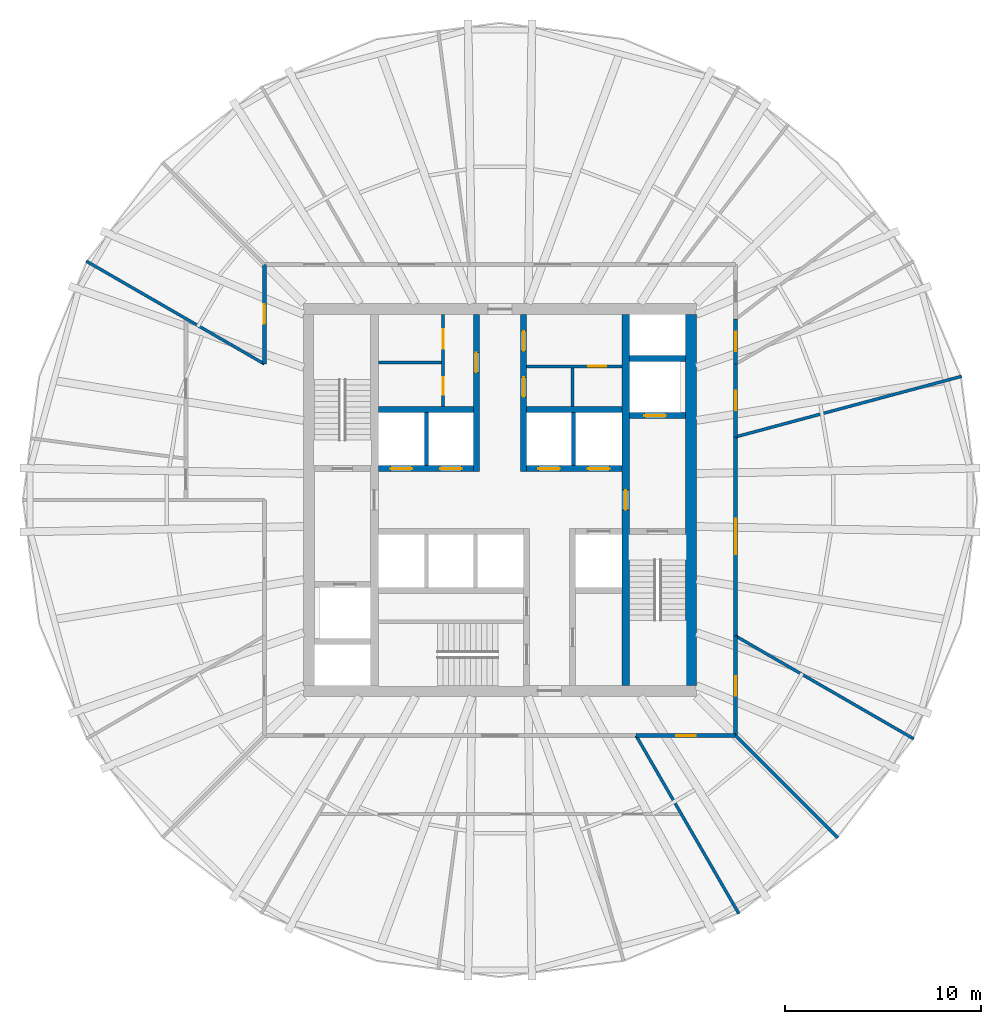
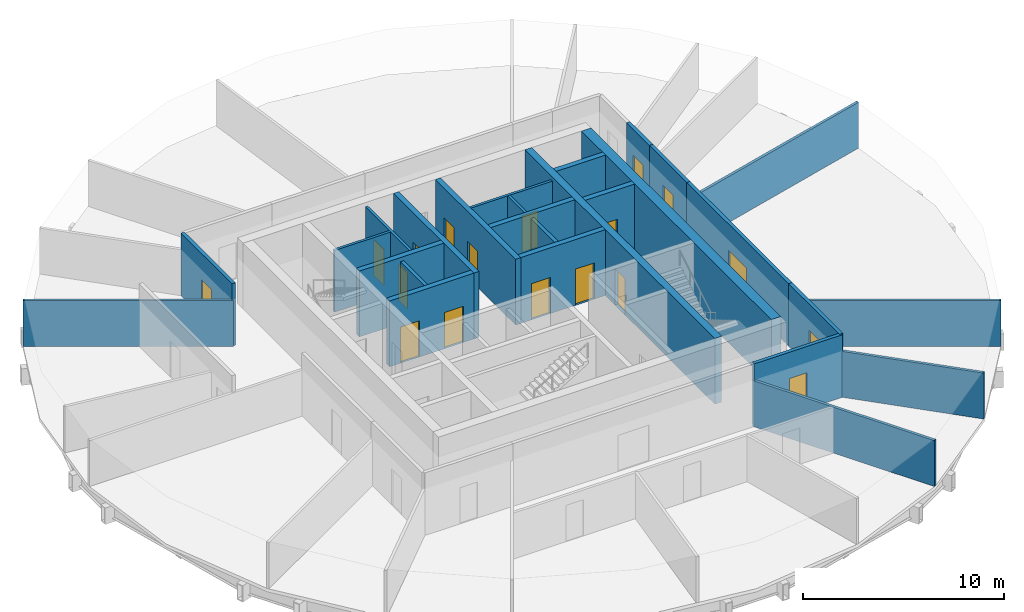
# One storey, part 4 of 6: 27 walls, 18 doors, 18 openings.
"""IFC4 building model written with IfcOpenShell, lengths in metres."""

from ifc_helpers import new_model, si_unit, direction, frame, frame_2d, origin, place, context, subcontext, project, spatial, rectangle, extrude, material, layer, layer_set, type_object, element, fill, save


model = new_model("IFC4")

# Units and contexts
model_context = context("Model", 3, precision=1e-05, world=origin(), true_north=direction((0.0, 1.0)))
body_context = subcontext(model_context, "Body", "Model", "MODEL_VIEW")
ifc_project = project(units=[si_unit("LENGTHUNIT", "METRE"), si_unit("AREAUNIT", "SQUARE_METRE"), si_unit("VOLUMEUNIT", "CUBIC_METRE"), si_unit("PLANEANGLEUNIT", "RADIAN"), si_unit("MASSUNIT", "GRAM", prefix="KILO")], contexts=[model_context])

# Site, building, storey
site_placement = place(None, origin())
site = spatial("IfcSite", under=ifc_project, at=site_placement, CompositionType="ELEMENT")
building_placement = place(site_placement, origin())
building = spatial("IfcBuilding", under=site, at=building_placement, Name="Golbaran Civic Tower", CompositionType="ELEMENT")
storey_placement = place(building_placement, frame((0.0, 0.0, 146.0)))
storey = spatial("IfcBuildingStorey", under=building, at=storey_placement, Name="L35", CompositionType="ELEMENT", Elevation=146.0)

# Wall, opening, door
ifc_material_1 = material(Name="Concrete block", Category="concrete")
ifc_layer_1 = layer(ifc_material_1, 0.14990234375, Name="Concrete block")
ifc_layer_set_1 = layer_set([ifc_layer_1], Name="Concrete block")
wall_type_1 = type_object("IfcWallType", Name="BLOCKWORK PARTITION 150", PredefinedType="PARTITIONING", material=ifc_layer_set_1)
wall_1_placement = place(storey_placement, frame((1.35009765625, 6.800048828125, 0.0), z_axis=(0.0, 0.0, 1.0), x_axis=(1.0, 0.0, 0.0)))
wall_1 = element("IfcWall", 1, at=wall_1_placement, inside=storey, type_object=wall_type_1, Name="Toilet block partition TN1 L35", PredefinedType="PARTITIONING", context=body_context, shape_type="SweptSolid", body=[
    extrude(rectangle(XDim=4.849853515625, YDim=0.14990234375, at=frame_2d((2.4248046875, 0.0))), origin(), (0.0, 0.0, 1.0), 3.75),
])
opening_1_placement = place(wall_1_placement, frame((3.14990234375, 0.0, 0.0)))
opening_1 = element("IfcOpeningElement", 2, at=opening_1_placement, cuts=wall_1, Name="Opening L35.CLN", PredefinedType="OPENING", context=body_context, shape_type="SweptSolid", body=[
    extrude(rectangle(XDim=0.89990234375, YDim=2.199951171875, at=frame_2d((0.449951171875, 1.10009765625))), frame((0.0, 0.0849609375, 0.0), z_axis=(0.0, -1.0, 0.0), x_axis=(1.0, 0.0, 0.0)), (0.0, 0.0, 1.0), 0.169921875),
])
ifc_material_2 = material(Name="Timber door set in steel frame", Category="steel")
door_type_1 = type_object("IfcDoorType", Name="RISER DOOR 900x2200", OperationType="SINGLE_SWING_LEFT", PredefinedType="DOOR", material=ifc_material_2)
door_1_placement = place(opening_1_placement, origin())
door_1 = element("IfcDoor", 3, at=door_1_placement, inside=storey, type_object=door_type_1, Name="Floor Store door", OperationType="SINGLE_SWING_RIGHT", OverallHeight=2.199951171875, OverallWidth=0.89990234375, PredefinedType="DOOR", context=body_context, shape_type="SweptSolid", body=[
    extrude(rectangle(XDim=0.89990234375, YDim=2.199951171875, at=frame_2d((0.449951171875, 1.10009765625))), frame((0.0, 0.02490234375, 0.0), z_axis=(0.0, -1.0, 0.0), x_axis=(1.0, 0.0, 0.0)), (0.0, 0.0, 1.0), 0.050048828125),
])
fill(opening_1, door_1)

# Wall
wall_2_placement = place(storey_placement, frame((3.699951171875, 4.75, 0.0), z_axis=(0.0, 0.0, 1.0), x_axis=(0.0, 1.0, 0.0)))
element("IfcWall", 4, at=wall_2_placement, inside=storey, type_object=wall_type_1, Name="Toilet block partition TN2 L35", PredefinedType="PARTITIONING", context=body_context, shape_type="SweptSolid", body=[
    extrude(rectangle(XDim=1.97509765625, YDim=0.14990234375, at=frame_2d((0.987548828125, 0.0))), origin(), (0.0, 0.0, 1.0), 3.75),
])

# Wall, opening, door
ifc_material_3 = material(Name="Concrete C50/60", Category="concrete")
ifc_layer_2 = layer(ifc_material_3, 0.39990234375, Name="Concrete C50/60")
ifc_layer_set_2 = layer_set([ifc_layer_2], Name="Concrete C50/60")
wall_type_2 = type_object("IfcWallType", Name="CORE WALL CONCRETE 400", PredefinedType="SOLIDWALL", material=ifc_layer_set_2)
wall_3_placement = place(storey_placement, frame((6.39990234375, 9.449951171875, 0.0), z_axis=(0.0, 0.0, 1.0), x_axis=(0.0, -1.0, 0.0)))
wall_3 = element("IfcWall", 5, at=wall_3_placement, inside=storey, type_object=wall_type_2, Name="Core wall IE L35", PredefinedType="SOLIDWALL", context=body_context, shape_type="SweptSolid", body=[
    extrude(rectangle(XDim=18.89990234375, YDim=0.39990234375, at=frame_2d((9.449951171875, 0.0))), origin(), (0.0, 0.0, 1.0), 4.0),
])
opening_2_placement = place(wall_3_placement, frame((8.949951171875, 0.0, 0.0)))
opening_2 = element("IfcOpeningElement", 6, at=opening_2_placement, cuts=wall_3, Name="Opening L35.FL2", PredefinedType="OPENING", context=body_context, shape_type="SweptSolid", body=[
    extrude(rectangle(XDim=1.0, YDim=2.199951171875, at=frame_2d((0.5, 1.10009765625))), frame((0.0, 0.2099609375, 0.0), z_axis=(0.0, -1.0, 0.0), x_axis=(1.0, 0.0, 0.0)), (0.0, 0.0, 1.0), 0.419921875),
])
door_type_2 = type_object("IfcDoorType", Name="STAIR DOOR 1000x2200", OperationType="SINGLE_SWING_LEFT", PredefinedType="DOOR", material=ifc_material_2)
door_2_placement = place(opening_2_placement, origin())
door_2 = element("IfcDoor", 7, at=door_2_placement, inside=storey, type_object=door_type_2, Name="Fire-fighting lobby FL2 door", OperationType="SINGLE_SWING_RIGHT", OverallHeight=2.199951171875, OverallWidth=1.0, PredefinedType="DOOR", context=body_context, shape_type="SweptSolid", body=[
    extrude(rectangle(XDim=1.0, YDim=2.199951171875, at=frame_2d((0.5, 1.10009765625))), frame((0.0, 0.02490234375, 0.0), z_axis=(0.0, -1.0, 0.0), x_axis=(1.0, 0.0, 0.0)), (0.0, 0.0, 1.0), 0.050048828125),
])
fill(opening_2, door_2)

# Wall
ifc_layer_3 = layer(ifc_material_3, 0.550048828125, Name="Concrete C50/60")
ifc_layer_set_3 = layer_set([ifc_layer_3], Name="Concrete C50/60")
wall_type_3 = type_object("IfcWallType", Name="CORE WALL CONCRETE 550", PredefinedType="SOLIDWALL", material=ifc_layer_set_3)
wall_4_placement = place(storey_placement, frame((9.72509765625, -9.449951171875, 0.0), z_axis=(0.0, 0.0, 1.0), x_axis=(0.0, 1.0, 0.0)))
element("IfcWall", 8, at=wall_4_placement, inside=storey, type_object=wall_type_3, Name="Core wall CE L35", PredefinedType="SOLIDWALL", context=body_context, shape_type="SweptSolid", body=[
    extrude(rectangle(XDim=18.89990234375, YDim=0.550048828125, at=frame_2d((9.449951171875, 0.0))), origin(), (0.0, 0.0, 1.0), 4.0),
])

# Wall, opening, door
ifc_material_4 = material(Name="Gypsum board on steel studs, fire-rated", Category="steel")
ifc_layer_4 = layer(ifc_material_4, 0.199951171875, Name="Gypsum board on steel studs, fire-rated")
ifc_layer_set_4 = layer_set([ifc_layer_4], Name="Gypsum board on steel studs, fire-rated")
wall_type_4 = type_object("IfcWallType", Name="CORRIDOR WALL 200", PredefinedType="PARTITIONING", material=ifc_layer_set_4)
wall_5_placement = place(storey_placement, frame((12.0, -6.92822265625, 0.0), z_axis=(0.0, 0.0, 1.0), x_axis=(0.0, 1.0, 0.0)))
wall_5 = element("IfcWall", 9, at=wall_5_placement, inside=storey, type_object=wall_type_4, Name="Corridor wall L35", PredefinedType="PARTITIONING", context=body_context, shape_type="SweptSolid", body=[
    extrude(rectangle(XDim=10.1435546875, YDim=0.199951171875, at=frame_2d((5.07177734375, 0.0))), origin(), (0.0, 0.0, 1.0), 3.800048828125),
])
opening_3_placement = place(wall_5_placement, frame((4.171875, 0.0, 0.0)))
opening_3 = element("IfcOpeningElement", 10, at=opening_3_placement, cuts=wall_5, Name="Opening L35.07", PredefinedType="OPENING", context=body_context, shape_type="SweptSolid", body=[
    extrude(rectangle(XDim=1.800048828125, YDim=2.199951171875, at=frame_2d((0.89990234375, 1.10009765625))), frame((0.0, 0.10986328125, 0.0), z_axis=(0.0, -1.0, 0.0), x_axis=(1.0, 0.0, 0.0)), (0.0, 0.0, 1.0), 0.219970703125),
])
door_type_3 = type_object("IfcDoorType", Name="OFFICE DOUBLE DOOR 1800x2200", OperationType="DOUBLE_DOOR_SINGLE_SWING", PredefinedType="DOOR", material=ifc_material_2)
door_3_placement = place(opening_3_placement, origin())
door_3 = element("IfcDoor", 11, at=door_3_placement, inside=storey, type_object=door_type_3, Name="Meeting Room door L35", OperationType="DOUBLE_DOOR_SINGLE_SWING", OverallHeight=2.199951171875, OverallWidth=1.800048828125, PredefinedType="DOOR", context=body_context, shape_type="SweptSolid", body=[
    extrude(rectangle(XDim=1.800048828125, YDim=2.199951171875, at=frame_2d((0.89990234375, 1.10009765625))), frame((0.0, 0.02490234375, 0.0), z_axis=(0.0, -1.0, 0.0), x_axis=(1.0, 0.0, 0.0)), (0.0, 0.0, 1.0), 0.050048828125),
])
fill(opening_3, door_3)

wall_6_placement = place(storey_placement, frame((12.0, 3.21533203125, 0.0), z_axis=(0.0, 0.0, 1.0), x_axis=(0.0, 1.0, 0.0)))
wall_6 = element("IfcWall", 12, at=wall_6_placement, inside=storey, type_object=wall_type_4, Name="Corridor wall L35", PredefinedType="PARTITIONING", context=body_context, shape_type="SweptSolid", body=[
    extrude(rectangle(XDim=3.712890625, YDim=0.199951171875, at=frame_2d((1.8564453125, 0.0))), origin(), (0.0, 0.0, 1.0), 3.800048828125),
])
opening_4_placement = place(wall_6_placement, frame((1.3564453125, 0.0, 0.0)))
opening_4 = element("IfcOpeningElement", 13, at=opening_4_placement, cuts=wall_6, Name="Opening L35.08", PredefinedType="OPENING", context=body_context, shape_type="SweptSolid", body=[
    extrude(rectangle(XDim=1.0, YDim=2.199951171875, at=frame_2d((0.5, 1.10009765625))), frame((0.0, 0.10986328125, 0.0), z_axis=(0.0, -1.0, 0.0), x_axis=(1.0, 0.0, 0.0)), (0.0, 0.0, 1.0), 0.219970703125),
])
door_type_4 = type_object("IfcDoorType", Name="OFFICE DOOR 1000x2200", OperationType="SINGLE_SWING_LEFT", PredefinedType="DOOR", material=ifc_material_2)
door_4_placement = place(opening_4_placement, origin())
door_4 = element("IfcDoor", 14, at=door_4_placement, inside=storey, type_object=door_type_4, Name="Project Room door L35", OperationType="SINGLE_SWING_LEFT", OverallHeight=2.199951171875, OverallWidth=1.0, PredefinedType="DOOR", context=body_context, shape_type="SweptSolid", body=[
    extrude(rectangle(XDim=1.0, YDim=2.199951171875, at=frame_2d((0.5, 1.10009765625))), frame((0.0, 0.02490234375, 0.0), z_axis=(0.0, -1.0, 0.0), x_axis=(1.0, 0.0, 0.0)), (0.0, 0.0, 1.0), 0.050048828125),
])
fill(opening_4, door_4)

wall_7_placement = place(storey_placement, frame((12.0, 6.92822265625, 0.0), z_axis=(0.0, 0.0, 1.0), x_axis=(0.0, 1.0, 0.0)))
wall_7 = element("IfcWall", 15, at=wall_7_placement, inside=storey, type_object=wall_type_4, Name="Corridor wall L35", PredefinedType="PARTITIONING", context=body_context, shape_type="SweptSolid", body=[
    extrude(rectangle(XDim=2.27978515625, YDim=0.199951171875, at=frame_2d((1.139892578125, 0.0))), origin(), (0.0, 0.0, 1.0), 3.800048828125),
])
opening_5_placement = place(wall_7_placement, frame((0.639892578125, 0.0, 0.0)))
opening_5 = element("IfcOpeningElement", 16, at=opening_5_placement, cuts=wall_7, Name="Opening L35.09", PredefinedType="OPENING", context=body_context, shape_type="SweptSolid", body=[
    extrude(rectangle(XDim=1.0, YDim=2.199951171875, at=frame_2d((0.5, 1.10009765625))), frame((0.0, 0.10986328125, 0.0), z_axis=(0.0, -1.0, 0.0), x_axis=(1.0, 0.0, 0.0)), (0.0, 0.0, 1.0), 0.219970703125),
])
door_5_placement = place(opening_5_placement, origin())
door_5 = element("IfcDoor", 17, at=door_5_placement, inside=storey, type_object=door_type_4, Name="Pantry door L35", OperationType="SINGLE_SWING_LEFT", OverallHeight=2.199951171875, OverallWidth=1.0, PredefinedType="DOOR", context=body_context, shape_type="SweptSolid", body=[
    extrude(rectangle(XDim=1.0, YDim=2.199951171875, at=frame_2d((0.5, 1.10009765625))), frame((0.0, 0.02490234375, 0.0), z_axis=(0.0, -1.0, 0.0), x_axis=(1.0, 0.0, 0.0)), (0.0, 0.0, 1.0), 0.050048828125),
])
fill(opening_5, door_5)

wall_8_placement = place(storey_placement, frame((-12.0, 12.0, 0.0), z_axis=(0.0, 0.0, 1.0), x_axis=(0.0, -1.0, 0.0)))
wall_8 = element("IfcWall", 18, at=wall_8_placement, inside=storey, type_object=wall_type_4, Name="Corridor wall L35", PredefinedType="PARTITIONING", context=body_context, shape_type="SweptSolid", body=[
    extrude(rectangle(XDim=5.07177734375, YDim=0.199951171875, at=frame_2d((2.535888671875, 0.0))), origin(), (0.0, 0.0, 1.0), 3.800048828125),
])
opening_6_placement = place(wall_8_placement, frame((2.035888671875, 0.0, 0.0)))
opening_6 = element("IfcOpeningElement", 19, at=opening_6_placement, cuts=wall_8, Name="Opening L35.15", PredefinedType="OPENING", context=body_context, shape_type="SweptSolid", body=[
    extrude(rectangle(XDim=1.0, YDim=2.199951171875, at=frame_2d((0.5, 1.10009765625))), frame((0.0, 0.10986328125, 0.0), z_axis=(0.0, -1.0, 0.0), x_axis=(1.0, 0.0, 0.0)), (0.0, 0.0, 1.0), 0.219970703125),
])
door_6_placement = place(opening_6_placement, origin())
door_6 = element("IfcDoor", 20, at=door_6_placement, inside=storey, type_object=door_type_4, Name="Print and Copy Room door L35", OperationType="SINGLE_SWING_RIGHT", OverallHeight=2.199951171875, OverallWidth=1.0, PredefinedType="DOOR", context=body_context, shape_type="SweptSolid", body=[
    extrude(rectangle(XDim=1.0, YDim=2.199951171875, at=frame_2d((0.5, 1.10009765625))), frame((0.0, 0.02490234375, 0.0), z_axis=(0.0, -1.0, 0.0), x_axis=(1.0, 0.0, 0.0)), (0.0, 0.0, 1.0), 0.050048828125),
])
fill(opening_6, door_6)

wall_9_placement = place(storey_placement, frame((6.92822265625, -12.0, 0.0), z_axis=(0.0, 0.0, 1.0), x_axis=(1.0, 0.0, 0.0)))
wall_9 = element("IfcWall", 21, at=wall_9_placement, inside=storey, type_object=wall_type_4, Name="Corridor wall L35", PredefinedType="PARTITIONING", context=body_context, shape_type="SweptSolid", body=[
    extrude(rectangle(XDim=5.07177734375, YDim=0.199951171875, at=frame_2d((2.535888671875, 0.0))), origin(), (0.0, 0.0, 1.0), 3.800048828125),
])
opening_7_placement = place(wall_9_placement, frame((2.035888671875, 0.0, 0.0)))
opening_7 = element("IfcOpeningElement", 22, at=opening_7_placement, cuts=wall_9, Name="Opening L35.20", PredefinedType="OPENING", context=body_context, shape_type="SweptSolid", body=[
    extrude(rectangle(XDim=1.0, YDim=2.199951171875, at=frame_2d((0.5, 1.10009765625))), frame((0.0, 0.10986328125, 0.0), z_axis=(0.0, -1.0, 0.0), x_axis=(1.0, 0.0, 0.0)), (0.0, 0.0, 1.0), 0.219970703125),
])
door_7_placement = place(opening_7_placement, origin())
door_7 = element("IfcDoor", 23, at=door_7_placement, inside=storey, type_object=door_type_4, Name="Print and Copy Room door L35", OperationType="SINGLE_SWING_LEFT", OverallHeight=2.199951171875, OverallWidth=1.0, PredefinedType="DOOR", context=body_context, shape_type="SweptSolid", body=[
    extrude(rectangle(XDim=1.0, YDim=2.199951171875, at=frame_2d((0.5, 1.10009765625))), frame((0.0, 0.02490234375, 0.0), z_axis=(0.0, -1.0, 0.0), x_axis=(1.0, 0.0, 0.0)), (0.0, 0.0, 1.0), 0.050048828125),
])
fill(opening_7, door_7)

wall_10_placement = place(storey_placement, frame((12.0, -12.0, 0.0), z_axis=(0.0, 0.0, 1.0), x_axis=(0.0, 1.0, 0.0)))
wall_10 = element("IfcWall", 24, at=wall_10_placement, inside=storey, type_object=wall_type_4, Name="Corridor wall L35", PredefinedType="PARTITIONING", context=body_context, shape_type="SweptSolid", body=[
    extrude(rectangle(XDim=5.07177734375, YDim=0.199951171875, at=frame_2d((2.535888671875, 0.0))), origin(), (0.0, 0.0, 1.0), 3.800048828125),
])
opening_8_placement = place(wall_10_placement, frame((2.035888671875, 0.0, 0.0)))
opening_8 = element("IfcOpeningElement", 25, at=opening_8_placement, cuts=wall_10, Name="Opening L35.21", PredefinedType="OPENING", context=body_context, shape_type="SweptSolid", body=[
    extrude(rectangle(XDim=1.0, YDim=2.199951171875, at=frame_2d((0.5, 1.10009765625))), frame((0.0, 0.10986328125, 0.0), z_axis=(0.0, -1.0, 0.0), x_axis=(1.0, 0.0, 0.0)), (0.0, 0.0, 1.0), 0.219970703125),
])
door_8_placement = place(opening_8_placement, origin())
door_8 = element("IfcDoor", 26, at=door_8_placement, inside=storey, type_object=door_type_4, Name="Store door L35", OperationType="SINGLE_SWING_LEFT", OverallHeight=2.199951171875, OverallWidth=1.0, PredefinedType="DOOR", context=body_context, shape_type="SweptSolid", body=[
    extrude(rectangle(XDim=1.0, YDim=2.199951171875, at=frame_2d((0.5, 1.10009765625))), frame((0.0, 0.02490234375, 0.0), z_axis=(0.0, -1.0, 0.0), x_axis=(1.0, 0.0, 0.0)), (0.0, 0.0, 1.0), 0.050048828125),
])
fill(opening_8, door_8)

# Walls
ifc_layer_5 = layer(ifc_material_1, 0.199951171875, Name="Concrete block")
ifc_layer_set_5 = layer_set([ifc_layer_5], Name="Concrete block")
wall_type_5 = type_object("IfcWallType", Name="LIFT SEPARATOR WALL 200", PredefinedType="SOLIDWALL", material=ifc_layer_set_5)
for number, where, z_axis, x_axis, name in (
    (27, (-3.75, 1.75, 0.0), (0.0, 0.0, 1.0), (0.0, 1.0, 0.0), "Core partition SNW L35"),
    (28, (3.75, 1.75, 0.0), (0.0, 0.0, 1.0), (0.0, 1.0, 0.0), "Core partition SNE L35"),
):
    element("IfcWall", number, at=place(storey_placement, frame(where, z_axis=z_axis, x_axis=x_axis)), inside=storey, type_object=wall_type_5, Name=name, PredefinedType="SOLIDWALL", context=body_context, shape_type="SweptSolid", body=[
        extrude(rectangle(XDim=2.699951171875, YDim=0.199951171875, at=frame_2d((1.35009765625, 0.0))), origin(), (0.0, 0.0, 1.0), 3.75),
    ])
ifc_material_5 = material(Name="Gypsum board on steel studs", Category="steel")
ifc_layer_6 = layer(ifc_material_5, 0.14990234375, Name="Gypsum board on steel studs")
ifc_layer_set_6 = layer_set([ifc_layer_6], Name="Gypsum board on steel studs")
wall_type_6 = type_object("IfcWallType", Name="OFFICE PARTITION 150", PredefinedType="PARTITIONING", material=ifc_layer_set_6)
wall_11_placement = place(storey_placement, frame((12.0, -6.92822265625, 0.0), z_axis=(0.0, 0.0, 1.0), x_axis=(0.866029212144, -0.49999340367, 0.0)))
element("IfcWall", 29, at=wall_11_placement, inside=storey, type_object=wall_type_6, Name="Partition 330 L35", PredefinedType="PARTITIONING", context=body_context, shape_type="SweptSolid", body=[
    extrude(rectangle(XDim=10.477783203125, YDim=0.14990234375, at=frame_2d((5.23876953125, 0.0))), origin(), (0.0, 0.0, 1.0), 2.7900390625),
])
wall_12_placement = place(storey_placement, frame((12.0, 3.21533203125, 0.0), z_axis=(0.0, 0.0, 1.0), x_axis=(0.965926367889, 0.258817023816, 0.0)))
element("IfcWall", 30, at=wall_12_placement, inside=storey, type_object=wall_type_6, Name="Partition 15 L35", PredefinedType="PARTITIONING", context=body_context, shape_type="SweptSolid", body=[
    extrude(rectangle(XDim=11.910888671875, YDim=0.14990234375, at=frame_2d((5.95556640625, 0.0))), origin(), (0.0, 0.0, 1.0), 2.7900390625),
])
for number, where, z_axis, x_axis, name in (
    (31, (-12.0, 6.92822265625, 0.0), (0.0, 0.0, 1.0), (-0.866029212144, 0.49999340367, 0.0), "Partition 150 L35"),
    (32, (6.92822265625, -12.0, 0.0), (0.0, 0.0, 1.0), (0.49999340367, -0.866029212144, 0.0), "Partition 300 L35"),
):
    element("IfcWall", number, at=place(storey_placement, frame(where, z_axis=z_axis, x_axis=x_axis)), inside=storey, type_object=wall_type_6, Name=name, PredefinedType="PARTITIONING", context=body_context, shape_type="SweptSolid", body=[
        extrude(rectangle(XDim=10.477783203125, YDim=0.14990234375, at=frame_2d((5.23876953125, 0.0))), origin(), (0.0, 0.0, 1.0), 2.7900390625),
    ])
wall_13_placement = place(storey_placement, frame((12.0, -12.0, 0.0), z_axis=(0.0, 0.0, 1.0), x_axis=(0.707106781187, -0.707106781187, 0.0)))
element("IfcWall", 33, at=wall_13_placement, inside=storey, type_object=wall_type_6, Name="Partition 315 L35", PredefinedType="PARTITIONING", context=body_context, shape_type="SweptSolid", body=[
    extrude(rectangle(XDim=7.363525390625, YDim=0.14990234375, at=frame_2d((3.681640625, 0.0))), origin(), (0.0, 0.0, 1.0), 2.7900390625),
])

# Wall, openings, doors
ifc_layer_7 = layer(ifc_material_3, 0.300048828125, Name="Concrete C50/60")
ifc_layer_set_7 = layer_set([ifc_layer_7], Name="Concrete C50/60")
wall_type_7 = type_object("IfcWallType", Name="SHAFT WALL CONCRETE 300", PredefinedType="SOLIDWALL", material=ifc_layer_set_7)
wall_14_placement = place(storey_placement, frame((-6.199951171875, 1.60009765625, 0.0), z_axis=(0.0, 0.0, 1.0), x_axis=(1.0, 0.0, 0.0)))
wall_14 = element("IfcWall", 34, at=wall_14_placement, inside=storey, type_object=wall_type_7, Name="Core wall FNW L35", PredefinedType="SOLIDWALL", context=body_context, shape_type="SweptSolid", body=[
    extrude(rectangle(XDim=4.849853515625, YDim=0.300048828125, at=frame_2d((2.4248046875, 0.0))), origin(), (0.0, 0.0, 1.0), 4.0),
])
opening_9_placement = place(wall_14_placement, frame((0.625, 0.0, 0.0)))
opening_9 = element("IfcOpeningElement", 35, at=opening_9_placement, cuts=wall_14, Name="Opening L35.LD-Z1M", PredefinedType="OPENING", context=body_context, shape_type="SweptSolid", body=[
    extrude(rectangle(XDim=1.10009765625, YDim=2.199951171875, at=frame_2d((0.550048828125, 1.10009765625))), frame((0.0, 0.159912109375, 0.0), z_axis=(0.0, -1.0, 0.0), x_axis=(1.0, 0.0, 0.0)), (0.0, 0.0, 1.0), 0.320068359375),
])
opening_10_placement = place(wall_14_placement, frame((3.14990234375, 0.0, 0.0)))
opening_10 = element("IfcOpeningElement", 36, at=opening_10_placement, cuts=wall_14, Name="Opening L35.LD-Z2M", PredefinedType="OPENING", context=body_context, shape_type="SweptSolid", body=[
    extrude(rectangle(XDim=1.10009765625, YDim=2.199951171875, at=frame_2d((0.550048828125, 1.10009765625))), frame((0.0, 0.159912109375, 0.0), z_axis=(0.0, -1.0, 0.0), x_axis=(1.0, 0.0, 0.0)), (0.0, 0.0, 1.0), 0.320068359375),
])
ifc_material_6 = material(Name="Stainless steel", Category="steel")
door_type_5 = type_object("IfcDoorType", Name="LIFT LANDING DOOR 1100x2200", OperationType="SLIDING_TO_LEFT", PredefinedType="DOOR", material=ifc_material_6)
door_9_placement = place(opening_9_placement, origin())
door_9 = element("IfcDoor", 37, at=door_9_placement, inside=storey, type_object=door_type_5, Name="Lift landing door Z1M", OperationType="SLIDING_TO_LEFT", OverallHeight=2.199951171875, OverallWidth=1.10009765625, PredefinedType="DOOR", context=body_context, shape_type="SweptSolid", body=[
    extrude(rectangle(XDim=1.10009765625, YDim=2.199951171875, at=frame_2d((0.550048828125, 1.10009765625))), frame((0.0, 0.02490234375, 0.0), z_axis=(0.0, -1.0, 0.0), x_axis=(1.0, 0.0, 0.0)), (0.0, 0.0, 1.0), 0.050048828125),
])
fill(opening_9, door_9)
door_10_placement = place(opening_10_placement, origin())
door_10 = element("IfcDoor", 38, at=door_10_placement, inside=storey, type_object=door_type_5, Name="Lift landing door Z2M", OperationType="SLIDING_TO_LEFT", OverallHeight=2.199951171875, OverallWidth=1.10009765625, PredefinedType="DOOR", context=body_context, shape_type="SweptSolid", body=[
    extrude(rectangle(XDim=1.10009765625, YDim=2.199951171875, at=frame_2d((0.550048828125, 1.10009765625))), frame((0.0, 0.02490234375, 0.0), z_axis=(0.0, -1.0, 0.0), x_axis=(1.0, 0.0, 0.0)), (0.0, 0.0, 1.0), 0.050048828125),
])
fill(opening_10, door_10)

wall_15_placement = place(storey_placement, frame((1.35009765625, 1.60009765625, 0.0), z_axis=(0.0, 0.0, 1.0), x_axis=(1.0, 0.0, 0.0)))
wall_15 = element("IfcWall", 39, at=wall_15_placement, inside=storey, type_object=wall_type_7, Name="Core wall FNE L35", PredefinedType="SOLIDWALL", context=body_context, shape_type="SweptSolid", body=[
    extrude(rectangle(XDim=4.849853515625, YDim=0.300048828125, at=frame_2d((2.4248046875, 0.0))), origin(), (0.0, 0.0, 1.0), 4.0),
])
opening_11_placement = place(wall_15_placement, frame((0.60009765625, 0.0, 0.0)))
opening_11 = element("IfcOpeningElement", 40, at=opening_11_placement, cuts=wall_15, Name="Opening L35.LD-Z3M", PredefinedType="OPENING", context=body_context, shape_type="SweptSolid", body=[
    extrude(rectangle(XDim=1.10009765625, YDim=2.199951171875, at=frame_2d((0.550048828125, 1.10009765625))), frame((0.0, 0.159912109375, 0.0), z_axis=(0.0, -1.0, 0.0), x_axis=(1.0, 0.0, 0.0)), (0.0, 0.0, 1.0), 0.320068359375),
])
opening_12_placement = place(wall_15_placement, frame((3.125, 0.0, 0.0)))
opening_12 = element("IfcOpeningElement", 41, at=opening_12_placement, cuts=wall_15, Name="Opening L35.LD-Z4M", PredefinedType="OPENING", context=body_context, shape_type="SweptSolid", body=[
    extrude(rectangle(XDim=1.10009765625, YDim=2.199951171875, at=frame_2d((0.550048828125, 1.10009765625))), frame((0.0, 0.159912109375, 0.0), z_axis=(0.0, -1.0, 0.0), x_axis=(1.0, 0.0, 0.0)), (0.0, 0.0, 1.0), 0.320068359375),
])
door_11_placement = place(opening_11_placement, origin())
door_11 = element("IfcDoor", 42, at=door_11_placement, inside=storey, type_object=door_type_5, Name="Lift landing door Z3M", OperationType="SLIDING_TO_LEFT", OverallHeight=2.199951171875, OverallWidth=1.10009765625, PredefinedType="DOOR", context=body_context, shape_type="SweptSolid", body=[
    extrude(rectangle(XDim=1.10009765625, YDim=2.199951171875, at=frame_2d((0.550048828125, 1.10009765625))), frame((0.0, 0.02490234375, 0.0), z_axis=(0.0, -1.0, 0.0), x_axis=(1.0, 0.0, 0.0)), (0.0, 0.0, 1.0), 0.050048828125),
])
fill(opening_11, door_11)
door_12_placement = place(opening_12_placement, origin())
door_12 = element("IfcDoor", 43, at=door_12_placement, inside=storey, type_object=door_type_5, Name="Lift landing door Z4M", OperationType="SLIDING_TO_LEFT", OverallHeight=2.199951171875, OverallWidth=1.10009765625, PredefinedType="DOOR", context=body_context, shape_type="SweptSolid", body=[
    extrude(rectangle(XDim=1.10009765625, YDim=2.199951171875, at=frame_2d((0.550048828125, 1.10009765625))), frame((0.0, 0.02490234375, 0.0), z_axis=(0.0, -1.0, 0.0), x_axis=(1.0, 0.0, 0.0)), (0.0, 0.0, 1.0), 0.050048828125),
])
fill(opening_12, door_12)

# Walls
for number, where, z_axis, x_axis, name in (
    (44, (-6.199951171875, 4.60009765625, 0.0), (0.0, 0.0, 1.0), (1.0, 0.0, 0.0), "Core wall BNW L35"),
    (45, (1.35009765625, 4.60009765625, 0.0), (0.0, 0.0, 1.0), (1.0, 0.0, 0.0), "Core wall BNE L35"),
):
    element("IfcWall", number, at=place(storey_placement, frame(where, z_axis=z_axis, x_axis=x_axis)), inside=storey, type_object=wall_type_7, Name=name, PredefinedType="SOLIDWALL", context=body_context, shape_type="SweptSolid", body=[
        extrude(rectangle(XDim=4.849853515625, YDim=0.300048828125, at=frame_2d((2.4248046875, 0.0))), origin(), (0.0, 0.0, 1.0), 4.0),
    ])

# Wall, opening, door
wall_16_placement = place(storey_placement, frame((-1.199951171875, 1.449951171875, 0.0), z_axis=(0.0, 0.0, 1.0), x_axis=(0.0, 1.0, 0.0)))
wall_16 = element("IfcWall", 46, at=wall_16_placement, inside=storey, type_object=wall_type_7, Name="Core wall PNW L35", PredefinedType="SOLIDWALL", context=body_context, shape_type="SweptSolid", body=[
    extrude(rectangle(XDim=8.0, YDim=0.300048828125, at=frame_2d((4.0, 0.0))), origin(), (0.0, 0.0, 1.0), 4.0),
])
opening_13_placement = place(wall_16_placement, frame((5.050048828125, 0.0, 0.0)))
opening_13 = element("IfcOpeningElement", 47, at=opening_13_placement, cuts=wall_16, Name="Opening L35.WCM", PredefinedType="OPENING", context=body_context, shape_type="SweptSolid", body=[
    extrude(rectangle(XDim=1.0, YDim=2.199951171875, at=frame_2d((0.5, 1.10009765625))), frame((0.0, 0.159912109375, 0.0), z_axis=(0.0, -1.0, 0.0), x_axis=(1.0, 0.0, 0.0)), (0.0, 0.0, 1.0), 0.320068359375),
])
door_type_6 = type_object("IfcDoorType", Name="TOILET DOOR 1000x2200", OperationType="SINGLE_SWING_LEFT", PredefinedType="DOOR", material=ifc_material_2)
door_13_placement = place(opening_13_placement, origin())
door_13 = element("IfcDoor", 48, at=door_13_placement, inside=storey, type_object=door_type_6, Name="North-west toilet block door", OperationType="SINGLE_SWING_RIGHT", OverallHeight=2.199951171875, OverallWidth=1.0, PredefinedType="DOOR", context=body_context, shape_type="SweptSolid", body=[
    extrude(rectangle(XDim=1.0, YDim=2.199951171875, at=frame_2d((0.5, 1.10009765625))), frame((0.0, 0.02490234375, 0.0), z_axis=(0.0, -1.0, 0.0), x_axis=(1.0, 0.0, 0.0)), (0.0, 0.0, 1.0), 0.050048828125),
])
fill(opening_13, door_13)

# Wall, openings, doors
wall_17_placement = place(storey_placement, frame((1.199951171875, 1.449951171875, 0.0), z_axis=(0.0, 0.0, 1.0), x_axis=(0.0, 1.0, 0.0)))
wall_17 = element("IfcWall", 49, at=wall_17_placement, inside=storey, type_object=wall_type_7, Name="Core wall PNE L35", PredefinedType="SOLIDWALL", context=body_context, shape_type="SweptSolid", body=[
    extrude(rectangle(XDim=8.0, YDim=0.300048828125, at=frame_2d((4.0, 0.0))), origin(), (0.0, 0.0, 1.0), 4.0),
])
opening_14_placement = place(wall_17_placement, frame((3.800048828125, 0.0, 0.0)))
opening_14 = element("IfcOpeningElement", 50, at=opening_14_placement, cuts=wall_17, Name="Opening L35.WCA", PredefinedType="OPENING", context=body_context, shape_type="SweptSolid", body=[
    extrude(rectangle(XDim=1.0, YDim=2.199951171875, at=frame_2d((0.5, 1.10009765625))), frame((0.0, 0.159912109375, 0.0), z_axis=(0.0, -1.0, 0.0), x_axis=(1.0, 0.0, 0.0)), (0.0, 0.0, 1.0), 0.320068359375),
])
opening_15_placement = place(wall_17_placement, frame((6.14990234375, 0.0, 0.0)))
opening_15 = element("IfcOpeningElement", 51, at=opening_15_placement, cuts=wall_17, Name="Opening L35.WCF", PredefinedType="OPENING", context=body_context, shape_type="SweptSolid", body=[
    extrude(rectangle(XDim=1.0, YDim=2.199951171875, at=frame_2d((0.5, 1.10009765625))), frame((0.0, 0.159912109375, 0.0), z_axis=(0.0, -1.0, 0.0), x_axis=(1.0, 0.0, 0.0)), (0.0, 0.0, 1.0), 0.320068359375),
])
door_14_placement = place(opening_14_placement, origin())
door_14 = element("IfcDoor", 52, at=door_14_placement, inside=storey, type_object=door_type_6, Name="Accessible WC door", OperationType="SINGLE_SWING_RIGHT", OverallHeight=2.199951171875, OverallWidth=1.0, PredefinedType="DOOR", context=body_context, shape_type="SweptSolid", body=[
    extrude(rectangle(XDim=1.0, YDim=2.199951171875, at=frame_2d((0.5, 1.10009765625))), frame((0.0, 0.02490234375, 0.0), z_axis=(0.0, -1.0, 0.0), x_axis=(1.0, 0.0, 0.0)), (0.0, 0.0, 1.0), 0.050048828125),
])
fill(opening_14, door_14)
door_15_placement = place(opening_15_placement, origin())
door_15 = element("IfcDoor", 53, at=door_15_placement, inside=storey, type_object=door_type_6, Name="North-east toilet block door", OperationType="SINGLE_SWING_RIGHT", OverallHeight=2.199951171875, OverallWidth=1.0, PredefinedType="DOOR", context=body_context, shape_type="SweptSolid", body=[
    extrude(rectangle(XDim=1.0, YDim=2.199951171875, at=frame_2d((0.5, 1.10009765625))), frame((0.0, 0.02490234375, 0.0), z_axis=(0.0, -1.0, 0.0), x_axis=(1.0, 0.0, 0.0)), (0.0, 0.0, 1.0), 0.050048828125),
])
fill(opening_15, door_15)

# Wall, opening, door
wall_18_placement = place(storey_placement, frame((6.60009765625, 4.300048828125, 0.0), z_axis=(0.0, 0.0, 1.0), x_axis=(1.0, 0.0, 0.0)))
wall_18 = element("IfcWall", 54, at=wall_18_placement, inside=storey, type_object=wall_type_7, Name="Core wall XE2 L35", PredefinedType="SOLIDWALL", context=body_context, shape_type="SweptSolid", body=[
    extrude(rectangle(XDim=2.849853515625, YDim=0.300048828125, at=frame_2d((1.4248046875, 0.0))), origin(), (0.0, 0.0, 1.0), 4.0),
])
opening_16_placement = place(wall_18_placement, frame((0.75, 0.0, 0.0)))
opening_16 = element("IfcOpeningElement", 55, at=opening_16_placement, cuts=wall_18, Name="Opening L35.LD-F2", PredefinedType="OPENING", context=body_context, shape_type="SweptSolid", body=[
    extrude(rectangle(XDim=1.10009765625, YDim=2.199951171875, at=frame_2d((0.550048828125, 1.10009765625))), frame((0.0, 0.159912109375, 0.0), z_axis=(0.0, -1.0, 0.0), x_axis=(1.0, 0.0, 0.0)), (0.0, 0.0, 1.0), 0.320068359375),
])
door_16_placement = place(opening_16_placement, origin())
door_16 = element("IfcDoor", 56, at=door_16_placement, inside=storey, type_object=door_type_5, Name="Lift landing door F2", OperationType="SLIDING_TO_LEFT", OverallHeight=2.199951171875, OverallWidth=1.10009765625, PredefinedType="DOOR", context=body_context, shape_type="SweptSolid", body=[
    extrude(rectangle(XDim=1.10009765625, YDim=2.199951171875, at=frame_2d((0.550048828125, 1.10009765625))), frame((0.0, 0.02490234375, 0.0), z_axis=(0.0, -1.0, 0.0), x_axis=(1.0, 0.0, 0.0)), (0.0, 0.0, 1.0), 0.050048828125),
])
fill(opening_16, door_16)

# Wall
wall_19_placement = place(storey_placement, frame((6.60009765625, 7.199951171875, 0.0), z_axis=(0.0, 0.0, 1.0), x_axis=(1.0, 0.0, 0.0)))
element("IfcWall", 57, at=wall_19_placement, inside=storey, type_object=wall_type_7, Name="Core wall XE3 L35", PredefinedType="SOLIDWALL", context=body_context, shape_type="SweptSolid", body=[
    extrude(rectangle(XDim=2.849853515625, YDim=0.300048828125, at=frame_2d((1.4248046875, 0.0))), origin(), (0.0, 0.0, 1.0), 4.0),
])

# Wall, openings, doors
ifc_material_7 = material(Name="Moisture-resistant gypsum board on steel studs", Category="steel")
ifc_layer_8 = layer(ifc_material_7, 0.14990234375, Name="Moisture-resistant gypsum board on steel studs")
ifc_layer_set_8 = layer_set([ifc_layer_8], Name="Moisture-resistant gypsum board on steel studs")
wall_type_8 = type_object("IfcWallType", Name="TOILET BLOCK PARTITION 150", PredefinedType="PARTITIONING", material=ifc_layer_set_8)
wall_20_placement = place(storey_placement, frame((-2.89990234375, 4.75, 0.0), z_axis=(0.0, 0.0, 1.0), x_axis=(0.0, 1.0, 0.0)))
wall_20 = element("IfcWall", 58, at=wall_20_placement, inside=storey, type_object=wall_type_8, Name="Toilet block partition MWL L35", PredefinedType="PARTITIONING", context=body_context, shape_type="SweptSolid", body=[
    extrude(rectangle(XDim=4.699951171875, YDim=0.14990234375, at=frame_2d((2.35009765625, 0.0))), origin(), (0.0, 0.0, 1.0), 3.75),
])
opening_17_placement = place(wall_20_placement, frame((2.949951171875, 0.0, 0.0)))
opening_17 = element("IfcOpeningElement", 59, at=opening_17_placement, cuts=wall_20, Name="Opening L35.22", PredefinedType="OPENING", context=body_context, shape_type="SweptSolid", body=[
    extrude(rectangle(XDim=1.0, YDim=2.199951171875, at=frame_2d((0.5, 1.10009765625))), frame((0.0, 0.0849609375, 0.0), z_axis=(0.0, -1.0, 0.0), x_axis=(1.0, 0.0, 0.0)), (0.0, 0.0, 1.0), 0.169921875),
])
opening_18_placement = place(wall_20_placement, frame((0.60009765625, 0.0, 0.0)))
opening_18 = element("IfcOpeningElement", 60, at=opening_18_placement, cuts=wall_20, Name="Opening L35.01", PredefinedType="OPENING", context=body_context, shape_type="SweptSolid", body=[
    extrude(rectangle(XDim=0.89990234375, YDim=2.199951171875, at=frame_2d((0.449951171875, 1.10009765625))), frame((0.0, 0.0849609375, 0.0), z_axis=(0.0, -1.0, 0.0), x_axis=(1.0, 0.0, 0.0)), (0.0, 0.0, 1.0), 0.169921875),
])
door_17_placement = place(opening_18_placement, origin())
door_17 = element("IfcDoor", 61, at=door_17_placement, inside=storey, type_object=door_type_1, Name="IT and comms room door", OperationType="SINGLE_SWING_LEFT", OverallHeight=2.199951171875, OverallWidth=0.89990234375, PredefinedType="DOOR", context=body_context, shape_type="SweptSolid", body=[
    extrude(rectangle(XDim=0.89990234375, YDim=2.199951171875, at=frame_2d((0.449951171875, 1.10009765625))), frame((0.0, 0.02490234375, 0.0), z_axis=(0.0, -1.0, 0.0), x_axis=(1.0, 0.0, 0.0)), (0.0, 0.0, 1.0), 0.050048828125),
])
fill(opening_18, door_17)
door_18_placement = place(opening_17_placement, origin())
door_18 = element("IfcDoor", 62, at=door_18_placement, inside=storey, type_object=door_type_6, Name="Female WC door", OperationType="SINGLE_SWING_RIGHT", OverallHeight=2.199951171875, OverallWidth=1.0, PredefinedType="DOOR", context=body_context, shape_type="SweptSolid", body=[
    extrude(rectangle(XDim=1.0, YDim=2.199951171875, at=frame_2d((0.5, 1.10009765625))), frame((0.0, 0.02490234375, 0.0), z_axis=(0.0, -1.0, 0.0), x_axis=(1.0, 0.0, 0.0)), (0.0, 0.0, 1.0), 0.050048828125),
])
fill(opening_17, door_18)

# Wall
wall_21_placement = place(storey_placement, frame((-6.199951171875, 7.0, 0.0), z_axis=(0.0, 0.0, 1.0), x_axis=(1.0, 0.0, 0.0)))
element("IfcWall", 63, at=wall_21_placement, inside=storey, type_object=wall_type_8, Name="Toilet block partition MWX L35", PredefinedType="PARTITIONING", context=body_context, shape_type="SweptSolid", body=[
    extrude(rectangle(XDim=3.224853515625, YDim=0.14990234375, at=frame_2d((1.6123046875, 0.0))), origin(), (0.0, 0.0, 1.0), 3.75),
])

save(model, "model.ifc")
